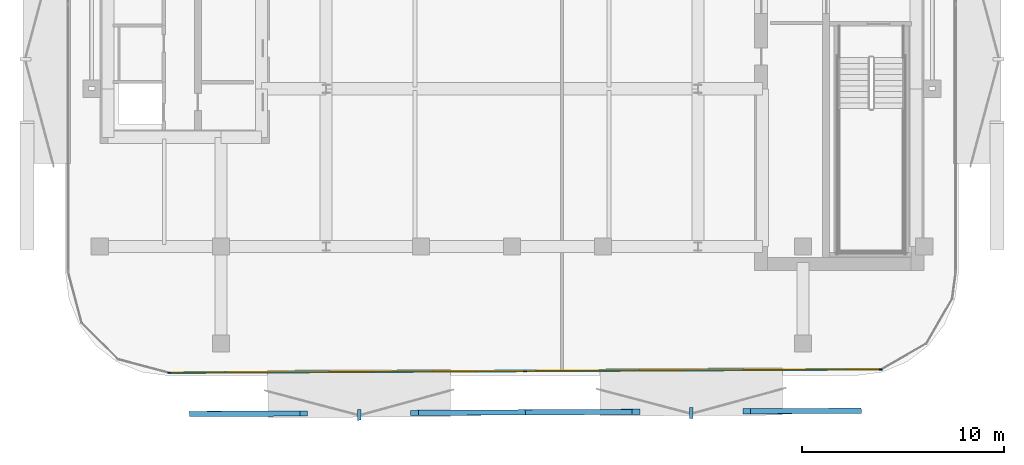
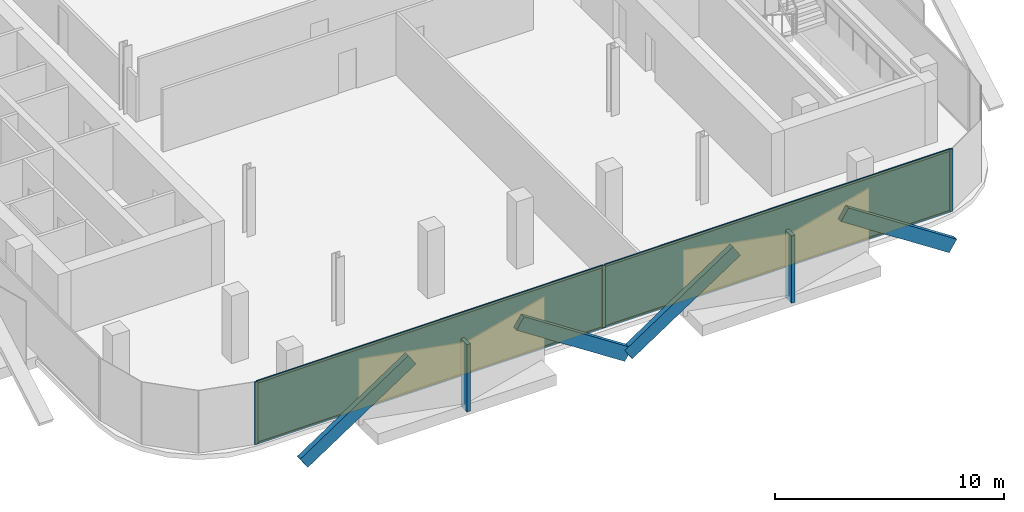
# One storey, part 5 of 11: 13 members, 2 plates, 1 curtain wall.
"""IFC4 building model written with IfcOpenShell, lengths in metres."""

from ifc_helpers import new_model, si_unit, direction, frame, frame_2d, origin, origin_2d, place, context, subcontext, project, spatial, rectangle, extrude, material, layer, layer_set, material_profile, profile_set, type_object, element, aggregate, save


model = new_model("IFC4")

# Units and contexts
model_context = context("Model", 3, precision=1e-05, world=origin(), true_north=direction((0.0, 1.0)))
body_context = subcontext(model_context, "Body", "Model", "MODEL_VIEW")
ifc_project = project(units=[si_unit("LENGTHUNIT", "METRE"), si_unit("AREAUNIT", "SQUARE_METRE"), si_unit("VOLUMEUNIT", "CUBIC_METRE"), si_unit("PLANEANGLEUNIT", "RADIAN"), si_unit("MASSUNIT", "GRAM", prefix="KILO")], contexts=[model_context])

# Member
ifc_material_1 = material(Name="Anodised Bronze Aluminium 6063-T6", Category="aluminium")
ifc_material_profile_1 = material_profile(ifc_material_1, rectangle(XDim=0.260009765625, YDim=0.699951171875, at=origin_2d()))
ifc_profile_set_1 = profile_set([ifc_material_profile_1], Name="Anodised Bronze Aluminium 6063-T6")
member_type_1 = type_object("IfcMemberType", Name="Bronze Diamond Solar-Screen Lattice Rib BDL-700", PredefinedType="MULLION", material=ifc_profile_set_1)
site_placement = place(None, origin())
building_placement = place(site_placement, origin())
storey_placement = place(building_placement, frame((0.0, 0.0, 222.39990234375)))
member_1_placement = place(storey_placement, frame((17.093505859375, -26.735595703125, -0.1298828125), z_axis=(-0.835737294876, -0.004021727391, 0.549114741801), x_axis=(-0.007495516814, 0.999963567548, -0.004084213926)))
member_1 = element("IfcMember", 1, at=member_1_placement, type_object=member_type_1, Name="L51 Bronze Diamond Solar Screen Lattice Rib 337A", PredefinedType="MULLION", context=body_context, shape_type="SweptSolid", body=[
    extrude(rectangle(XDim=0.260009765625, YDim=0.699951171875, at=origin_2d()), origin(), (0.0, 0.0, 1.0), 6.55615234375),
])

member_2_placement = place(storey_placement, frame((0.65625, -26.81494140625, -0.1298828125), z_axis=(0.835725939674, 0.004059091321, 0.549131748794), x_axis=(0.007540370975, -0.999963230548, -0.004084159318)))
member_2 = element("IfcMember", 2, at=member_2_placement, type_object=member_type_1, Name="L51 Bronze Diamond Solar Screen Lattice Rib 337B", PredefinedType="MULLION", context=body_context, shape_type="SweptSolid", body=[
    extrude(rectangle(XDim=0.260009765625, YDim=0.699951171875, at=origin_2d()), origin(), (0.0, 0.0, 1.0), 6.555908203125),
])

member_3_placement = place(storey_placement, frame((0.65625, -26.81494140625, -0.1298828125), z_axis=(-0.835737294876, -0.004021727391, 0.549114741801), x_axis=(-0.007495516814, 0.999963567548, -0.004084213926)))
member_3 = element("IfcMember", 3, at=member_3_placement, type_object=member_type_1, Name="L51 Bronze Diamond Solar Screen Lattice Rib 338A", PredefinedType="MULLION", context=body_context, shape_type="SweptSolid", body=[
    extrude(rectangle(XDim=0.260009765625, YDim=0.699951171875, at=origin_2d()), origin(), (0.0, 0.0, 1.0), 6.55615234375),
])

member_4_placement = place(storey_placement, frame((-15.781005859375, -26.894287109375, -0.1298828125), z_axis=(0.835725939674, 0.004059091321, 0.549131748794), x_axis=(0.007540370975, -0.999963230548, -0.004084159318)))
member_4 = element("IfcMember", 4, at=member_4_placement, type_object=member_type_1, Name="L51 Bronze Diamond Solar Screen Lattice Rib 338B", PredefinedType="MULLION", context=body_context, shape_type="SweptSolid", body=[
    extrude(rectangle(XDim=0.260009765625, YDim=0.699951171875, at=origin_2d()), origin(), (0.0, 0.0, 1.0), 6.555908203125),
])

ifc_material_2 = material(Name="Anodised Bronze Aluminium 6063-T6", Category="aluminium")
ifc_material_profile_2 = material_profile(ifc_material_2, rectangle(XDim=0.179931640625, YDim=0.5400390625, at=origin_2d()))
ifc_profile_set_2 = profile_set([ifc_material_profile_2], Name="Anodised Bronze Aluminium 6063-T6")
member_type_2 = type_object("IfcMemberType", Name="Bronze Solar-Screen Vertical Fold Fin BSF-540", PredefinedType="MULLION", material=ifc_profile_set_2)
member_5_placement = place(storey_placement, frame((8.875244140625, -26.855224609375, -0.1298828125), z_axis=(0.0, 0.0, 1.0), x_axis=(-0.999988059021, -0.004886902454, 0.0)))
member_5 = element("IfcMember", 5, at=member_5_placement, type_object=member_type_2, Name="L51 Bronze Solar Screen Vertical Fin 337", PredefinedType="MULLION", context=body_context, shape_type="SweptSolid", body=[
    extrude(rectangle(XDim=0.179931640625, YDim=0.5400390625, at=origin_2d()), origin(), (0.0, 0.0, 1.0), 3.60009765625),
])

member_6_placement = place(storey_placement, frame((-7.56201171875, -26.9345703125, -0.1298828125), z_axis=(0.0, 0.0, 1.0), x_axis=(-0.999988059021, -0.004886902454, 0.0)))
member_6 = element("IfcMember", 6, at=member_6_placement, type_object=member_type_2, Name="L51 Bronze Solar Screen Vertical Fin 338", PredefinedType="MULLION", context=body_context, shape_type="SweptSolid", body=[
    extrude(rectangle(XDim=0.179931640625, YDim=0.5400390625, at=origin_2d()), origin(), (0.0, 0.0, 1.0), 3.60009765625),
])

ifc_material_3 = material(Name="Anodised Bronze Aluminium 6063-T6", Category="aluminium")
ifc_material_profile_3 = material_profile(ifc_material_3, rectangle(XDim=0.06005859375, YDim=0.159912109375, at=origin_2d()))
ifc_profile_set_3 = profile_set([ifc_material_profile_3], Name="Anodised Bronze Aluminium 6063-T6")
member_type_3 = type_object("IfcMemberType", Name="CW-Z4 Mullion 60x160", PredefinedType="MULLION", material=ifc_profile_set_3)
member_7_placement = place(storey_placement, frame((18.25341796875, -24.68994140625, 0.0), z_axis=(0.0, 0.0, 1.0), x_axis=(0.004824986425, -0.999988359685, 0.0)))
member_7 = element("IfcMember", 7, at=member_7_placement, type_object=member_type_3, Name="CW-Z4 mullion 1", PredefinedType="MULLION", context=body_context, shape_type="SweptSolid", body=[
    extrude(rectangle(XDim=0.06005859375, YDim=0.159912109375, at=origin_2d()), origin(), (0.0, 0.0, 1.0), 3.340087890625),
])

member_8_placement = place(storey_placement, frame((0.646240234375, -24.77490234375, 0.0), z_axis=(0.0, 0.0, 1.0), x_axis=(0.004824986425, -0.999988359685, 0.0)))
member_8 = element("IfcMember", 8, at=member_8_placement, type_object=member_type_3, Name="CW-Z4 mullion 2", PredefinedType="MULLION", context=body_context, shape_type="SweptSolid", body=[
    extrude(rectangle(XDim=0.06005859375, YDim=0.159912109375, at=origin_2d()), origin(), (0.0, 0.0, 1.0), 3.340087890625),
])

member_9_placement = place(storey_placement, frame((-16.960693359375, -24.85986328125, 0.0), z_axis=(0.0, 0.0, 1.0), x_axis=(0.004824986425, -0.999988359685, 0.0)))
member_9 = element("IfcMember", 9, at=member_9_placement, type_object=member_type_3, Name="CW-Z4 mullion 3", PredefinedType="MULLION", context=body_context, shape_type="SweptSolid", body=[
    extrude(rectangle(XDim=0.06005859375, YDim=0.159912109375, at=origin_2d()), origin(), (0.0, 0.0, 1.0), 3.340087890625),
])

ifc_material_4 = material(Name="Anodised Bronze Aluminium 6063-T6", Category="aluminium")
ifc_material_profile_4 = material_profile(ifc_material_4, rectangle(XDim=0.06005859375, YDim=0.125, at=origin_2d()))
ifc_profile_set_4 = profile_set([ifc_material_profile_4], Name="Anodised Bronze Aluminium 6063-T6")
member_type_4 = type_object("IfcMemberType", Name="CW-Z4 Transom 60x125", PredefinedType="USERDEFINED", material=ifc_profile_set_4)
member_10_placement = place(storey_placement, frame((18.223388671875, -24.690185546875, 0.030029296875), z_axis=(-0.999988412677, -0.004813991218, 0.0), x_axis=(0.004813991218, -0.999988412677, 0.0)))
member_10 = element("IfcMember", 10, at=member_10_placement, type_object=member_type_4, Name="CW-Z4 transom 1.1", ObjectType="TRANSOM", PredefinedType="USERDEFINED", context=body_context, shape_type="SweptSolid", body=[
    extrude(rectangle(XDim=0.06005859375, YDim=0.125, at=origin_2d()), origin(), (0.0, 0.0, 1.0), 17.54736328125),
])

member_11_placement = place(storey_placement, frame((18.223388671875, -24.690185546875, 3.31005859375), z_axis=(-0.999988412677, -0.004813991218, 0.0), x_axis=(0.004813991218, -0.999988412677, 0.0)))
member_11 = element("IfcMember", 11, at=member_11_placement, type_object=member_type_4, Name="CW-Z4 transom 1.2", ObjectType="TRANSOM", PredefinedType="USERDEFINED", context=body_context, shape_type="SweptSolid", body=[
    extrude(rectangle(XDim=0.06005859375, YDim=0.125, at=origin_2d()), origin(), (0.0, 0.0, 1.0), 17.54736328125),
])

member_12_placement = place(storey_placement, frame((0.616455078125, -24.775146484375, 0.030029296875), z_axis=(-0.999988413, -0.004813924241, 0.0), x_axis=(0.004813924241, -0.999988413, 0.0)))
member_12 = element("IfcMember", 12, at=member_12_placement, type_object=member_type_4, Name="CW-Z4 transom 2.1", ObjectType="TRANSOM", PredefinedType="USERDEFINED", context=body_context, shape_type="SweptSolid", body=[
    extrude(rectangle(XDim=0.06005859375, YDim=0.125, at=origin_2d()), origin(), (0.0, 0.0, 1.0), 17.547607421875),
])

member_13_placement = place(storey_placement, frame((0.616455078125, -24.775146484375, 3.31005859375), z_axis=(-0.999988413, -0.004813924241, 0.0), x_axis=(0.004813924241, -0.999988413, 0.0)))
member_13 = element("IfcMember", 13, at=member_13_placement, type_object=member_type_4, Name="CW-Z4 transom 2.2", ObjectType="TRANSOM", PredefinedType="USERDEFINED", context=body_context, shape_type="SweptSolid", body=[
    extrude(rectangle(XDim=0.06005859375, YDim=0.125, at=origin_2d()), origin(), (0.0, 0.0, 1.0), 17.547607421875),
])

# Plate
ifc_material_5 = material(Name="Low-E Solar Control Laminated Glass", Category="glass")
ifc_layer_1 = layer(ifc_material_5, 0.030029296875, Name="Low-E Solar Control Laminated Glass")
ifc_layer_set_1 = layer_set([ifc_layer_1], Name="Low-E Solar Control Laminated Glass")
plate_type = type_object("IfcPlateType", Name="CW-Z4 Low-E Double Glazed Panel 30mm", PredefinedType="CURTAIN_PANEL", material=ifc_layer_set_1)
plate_1_placement = place(storey_placement, frame((9.449951171875, -24.732421875, 0.06005859375), z_axis=(0.0, 0.0, 1.0), x_axis=(-0.999988359685, -0.004824986425, 0.0)))
plate_1 = element("IfcPlate", 14, at=plate_1_placement, type_object=plate_type, Name="CW-Z4 panel 1.1", PredefinedType="CURTAIN_PANEL", context=body_context, shape_type="SweptSolid", body=[
    extrude(rectangle(XDim=17.54736328125, YDim=0.030029296875, at=origin_2d()), origin(), (0.0, 0.0, 1.0), 3.219970703125),
])

plate_2_placement = place(storey_placement, frame((-8.1572265625, -24.8173828125, 0.06005859375), z_axis=(0.0, 0.0, 1.0), x_axis=(-0.999988359685, -0.004824986425, 0.0)))
plate_2 = element("IfcPlate", 15, at=plate_2_placement, type_object=plate_type, Name="CW-Z4 panel 2.1", PredefinedType="CURTAIN_PANEL", context=body_context, shape_type="SweptSolid", body=[
    extrude(rectangle(XDim=17.54736328125, YDim=0.030029296875, at=origin_2d()), origin(), (0.0, 0.0, 1.0), 3.219970703125),
])

# Site, building, storey
site = spatial("IfcSite", under=ifc_project, at=site_placement, CompositionType="ELEMENT")
building = spatial("IfcBuilding", under=site, at=building_placement, Name="Khairoan Windgate Tower", CompositionType="ELEMENT")
storey = spatial("IfcBuildingStorey", under=building, at=storey_placement, Name="L51", CompositionType="ELEMENT", Elevation=222.39990234375)

# Curtain wall
ifc_material_6 = material(Name="Anodised Bronze Aluminium 6063-T6", Category="aluminium")
ifc_layer_2 = layer(ifc_material_6, 0.159912109375, Name="Anodised Bronze Aluminium 6063-T6")
ifc_layer_set_2 = layer_set([ifc_layer_2], Name="Anodised Bronze Aluminium 6063-T6")
curtain_wall_type = type_object("IfcCurtainWallType", Name="Sky Residence Unitised Curtain Wall CW-Z4", PredefinedType="NOTDEFINED", material=ifc_layer_set_2)
curtain_wall_placement = place(storey_placement, frame((18.283447265625, -24.689697265625, 0.0), z_axis=(0.0, 0.0, 1.0), x_axis=(-0.999988330836, -0.004830961808, 0.0)))
curtain_wall = element("IfcCurtainWall", 16, at=curtain_wall_placement, inside=storey, type_object=curtain_wall_type, Name="L51 Unitised Curtain Wall 1", PredefinedType="NOTDEFINED", context=body_context, shape_type="SweptSolid", body=[
    extrude(rectangle(XDim=35.274658203125, YDim=0.010009765625, at=frame_2d((17.63720703125, 0.0))), origin(), (0.0, 0.0, 1.0), 3.340087890625),
])

aggregate(curtain_wall, [member_7, member_8, member_9, member_10, member_11, plate_1, member_12, member_13, plate_2, member_1, member_2, member_5, member_3, member_4, member_6])

save(model, "model.ifc")
